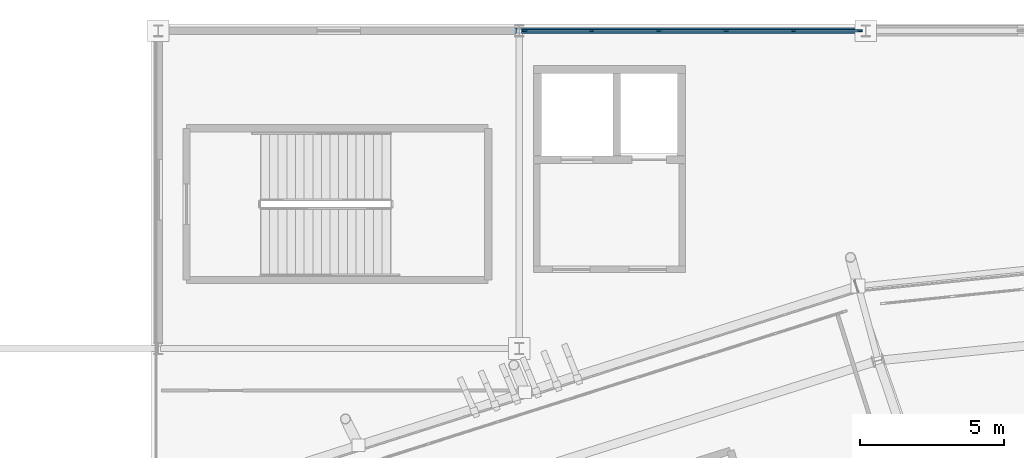
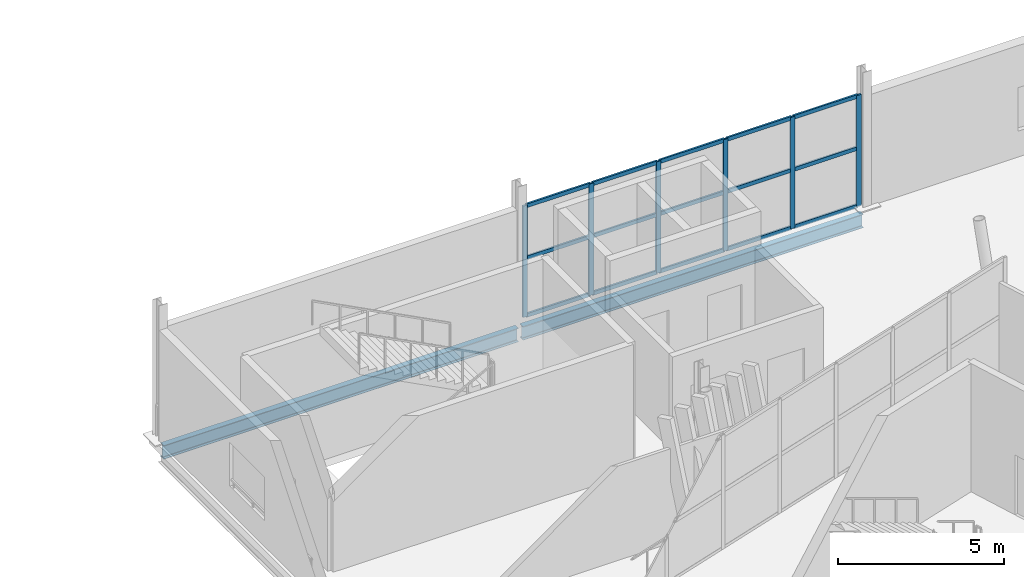
# One storey, part 79 of 179: 21 members, 2 beams, 1 element without a shape of its own.
"""IFC4 building model written with IfcOpenShell, lengths in metres."""

from ifc_helpers import new_model, si_unit, direction, frame, origin, origin_2d, place, context, subcontext, project, spatial, rectangle, i_section, extrude, material, material_profile, profile_set, type_object, element, aggregate, save


model = new_model("IFC4")

# Units and contexts
model_context = context("Model", 3, precision=1e-05, world=origin(), true_north=direction((0.0, 1.0)))
body_context = subcontext(model_context, "Body", "Model", "MODEL_VIEW")
ifc_project = project(units=[si_unit("LENGTHUNIT", "METRE"), si_unit("AREAUNIT", "SQUARE_METRE"), si_unit("VOLUMEUNIT", "CUBIC_METRE"), si_unit("PLANEANGLEUNIT", "RADIAN"), si_unit("MASSUNIT", "GRAM", prefix="KILO")], contexts=[model_context])

# Site, building, storey
site_placement = place(None, origin())
site = spatial("IfcSite", under=ifc_project, at=site_placement, CompositionType="ELEMENT")
building_placement = place(site_placement, origin())
building = spatial("IfcBuilding", under=site, at=building_placement, Name="Zlatoyarsky Gate Stadium", CompositionType="ELEMENT")
storey_placement = place(building_placement, frame((0.0, 0.0, 10.60009765625)))
storey = spatial("IfcBuildingStorey", under=building, at=storey_placement, Name="L02", CompositionType="ELEMENT", Elevation=10.60009765625)

# Curtain wall, members
ifc_material_1 = material(Name="Thermally broken anodised aluminium curtain wall", Category="aluminium")
curtain_wall_type = type_object("IfcCurtainWallType", Name="WINTER GARDEN CONSERVATORY GLAZING", PredefinedType="USERDEFINED", material=ifc_material_1)
curtain_wall_placement = place(storey_placement, origin())
curtain_wall = element("IfcCurtainWall", 1, at=curtain_wall_placement, inside=storey, type_object=curtain_wall_type, Name="Curtain wall CW-V2_NORTH-L02-149", ObjectType="UNITISED GLAZING", PredefinedType="USERDEFINED")
ifc_material_2 = material(Name="Anodised aluminium 6063-T6", Category="aluminium")
ifc_material_profile_1 = material_profile(ifc_material_2, rectangle(XDim=0.06494140625, YDim=0.159912109375, at=origin_2d()), Name="ALU 65X160")
ifc_profile_set_1 = profile_set([ifc_material_profile_1], Name="Anodised aluminium 6063-T6")
member_type_1 = type_object("IfcMemberType", Name="ALUMINIUM MULLION 65X160", PredefinedType="MULLION", material=ifc_profile_set_1)
member_1_placement = place(storey_placement, frame((74.694580078125, 160.0, 0.0), z_axis=(0.0, 0.0, 1.0), x_axis=(0.0, 1.0, 0.0)))
member_1 = element("IfcMember", 2, at=member_1_placement, type_object=member_type_1, Name="CW-WG1 mullion 1", PredefinedType="MULLION", context=body_context, shape_type="SweptSolid", body=[
    extrude(rectangle(XDim=0.06494140625, YDim=0.159912109375, at=origin_2d()), origin(), (0.0, 0.0, 1.0), 4.099853515625),
])
member_2_placement = place(storey_placement, frame((76.997314453125, 160.0, 0.0), z_axis=(0.0, 0.0, 1.0), x_axis=(0.0, 1.0, 0.0)))
member_2 = element("IfcMember", 3, at=member_2_placement, type_object=member_type_1, Name="CW-WG1 mullion 2", PredefinedType="MULLION", context=body_context, shape_type="SweptSolid", body=[
    extrude(rectangle(XDim=0.06494140625, YDim=0.159912109375, at=origin_2d()), origin(), (0.0, 0.0, 1.0), 4.099853515625),
])
member_3_placement = place(storey_placement, frame((79.33251953125, 160.0, 0.0), z_axis=(0.0, 0.0, 1.0), x_axis=(0.0, 1.0, 0.0)))
member_3 = element("IfcMember", 4, at=member_3_placement, type_object=member_type_1, Name="CW-WG1 mullion 3", PredefinedType="MULLION", context=body_context, shape_type="SweptSolid", body=[
    extrude(rectangle(XDim=0.06494140625, YDim=0.159912109375, at=origin_2d()), origin(), (0.0, 0.0, 1.0), 4.099853515625),
])
member_4_placement = place(storey_placement, frame((81.66748046875, 160.0, 0.0), z_axis=(0.0, 0.0, 1.0), x_axis=(0.0, 1.0, 0.0)))
member_4 = element("IfcMember", 5, at=member_4_placement, type_object=member_type_1, Name="CW-WG1 mullion 4", PredefinedType="MULLION", context=body_context, shape_type="SweptSolid", body=[
    extrude(rectangle(XDim=0.06494140625, YDim=0.159912109375, at=origin_2d()), origin(), (0.0, 0.0, 1.0), 4.099853515625),
])
member_5_placement = place(storey_placement, frame((84.002685546875, 160.0, 0.0), z_axis=(0.0, 0.0, 1.0), x_axis=(0.0, 1.0, 0.0)))
member_5 = element("IfcMember", 6, at=member_5_placement, type_object=member_type_1, Name="CW-WG1 mullion 5", PredefinedType="MULLION", context=body_context, shape_type="SweptSolid", body=[
    extrude(rectangle(XDim=0.06494140625, YDim=0.159912109375, at=origin_2d()), origin(), (0.0, 0.0, 1.0), 4.099853515625),
])
member_6_placement = place(storey_placement, frame((86.305419921875, 160.0, 0.0), z_axis=(0.0, 0.0, 1.0), x_axis=(0.0, 1.0, 0.0)))
member_6 = element("IfcMember", 7, at=member_6_placement, type_object=member_type_1, Name="CW-WG1 mullion 6", PredefinedType="MULLION", context=body_context, shape_type="SweptSolid", body=[
    extrude(rectangle(XDim=0.06494140625, YDim=0.159912109375, at=origin_2d()), origin(), (0.0, 0.0, 1.0), 4.099853515625),
])
ifc_material_profile_2 = material_profile(ifc_material_2, rectangle(XDim=0.06494140625, YDim=0.139892578125, at=origin_2d()), Name="ALU 65X140")
ifc_profile_set_2 = profile_set([ifc_material_profile_2], Name="Anodised aluminium 6063-T6")
member_type_2 = type_object("IfcMemberType", Name="ALUMINIUM TRANSOM 65X140", PredefinedType="USERDEFINED", material=ifc_profile_set_2)
member_7_placement = place(storey_placement, frame((74.72705078125, 160.0, 0.032470703125), z_axis=(1.0, 0.0, 0.0), x_axis=(0.0, 1.0, 0.0)))
member_7 = element("IfcMember", 8, at=member_7_placement, type_object=member_type_2, Name="CW-WG1 transom 1.1", ObjectType="TRANSOM", PredefinedType="USERDEFINED", context=body_context, shape_type="SweptSolid", body=[
    extrude(rectangle(XDim=0.06494140625, YDim=0.139892578125, at=origin_2d()), origin(), (0.0, 0.0, 1.0), 2.237548828125),
])
member_8_placement = place(storey_placement, frame((74.72705078125, 160.0, 2.14990234375), z_axis=(1.0, 0.0, 0.0), x_axis=(0.0, 1.0, 0.0)))
member_8 = element("IfcMember", 9, at=member_8_placement, type_object=member_type_2, Name="CW-WG1 transom 1.2", ObjectType="TRANSOM", PredefinedType="USERDEFINED", context=body_context, shape_type="SweptSolid", body=[
    extrude(rectangle(XDim=0.06494140625, YDim=0.139892578125, at=origin_2d()), origin(), (0.0, 0.0, 1.0), 2.237548828125),
])
member_9_placement = place(storey_placement, frame((74.72705078125, 160.0, 4.0673828125), z_axis=(1.0, 0.0, 0.0), x_axis=(0.0, 1.0, 0.0)))
member_9 = element("IfcMember", 10, at=member_9_placement, type_object=member_type_2, Name="CW-WG1 transom 1.3", ObjectType="TRANSOM", PredefinedType="USERDEFINED", context=body_context, shape_type="SweptSolid", body=[
    extrude(rectangle(XDim=0.06494140625, YDim=0.139892578125, at=origin_2d()), origin(), (0.0, 0.0, 1.0), 2.237548828125),
])
member_10_placement = place(storey_placement, frame((77.02978515625, 160.0, 0.032470703125), z_axis=(1.0, 0.0, 0.0), x_axis=(0.0, 1.0, 0.0)))
member_10 = element("IfcMember", 11, at=member_10_placement, type_object=member_type_2, Name="CW-WG1 transom 2.1", ObjectType="TRANSOM", PredefinedType="USERDEFINED", context=body_context, shape_type="SweptSolid", body=[
    extrude(rectangle(XDim=0.06494140625, YDim=0.139892578125, at=origin_2d()), origin(), (0.0, 0.0, 1.0), 2.27001953125),
])
member_11_placement = place(storey_placement, frame((77.02978515625, 160.0, 2.14990234375), z_axis=(1.0, 0.0, 0.0), x_axis=(0.0, 1.0, 0.0)))
member_11 = element("IfcMember", 12, at=member_11_placement, type_object=member_type_2, Name="CW-WG1 transom 2.2", ObjectType="TRANSOM", PredefinedType="USERDEFINED", context=body_context, shape_type="SweptSolid", body=[
    extrude(rectangle(XDim=0.06494140625, YDim=0.139892578125, at=origin_2d()), origin(), (0.0, 0.0, 1.0), 2.27001953125),
])
member_12_placement = place(storey_placement, frame((77.02978515625, 160.0, 4.0673828125), z_axis=(1.0, 0.0, 0.0), x_axis=(0.0, 1.0, 0.0)))
member_12 = element("IfcMember", 13, at=member_12_placement, type_object=member_type_2, Name="CW-WG1 transom 2.3", ObjectType="TRANSOM", PredefinedType="USERDEFINED", context=body_context, shape_type="SweptSolid", body=[
    extrude(rectangle(XDim=0.06494140625, YDim=0.139892578125, at=origin_2d()), origin(), (0.0, 0.0, 1.0), 2.27001953125),
])
member_13_placement = place(storey_placement, frame((79.364990234375, 160.0, 0.032470703125), z_axis=(1.0, 0.0, 0.0), x_axis=(0.0, 1.0, 0.0)))
member_13 = element("IfcMember", 14, at=member_13_placement, type_object=member_type_2, Name="CW-WG1 transom 3.1", ObjectType="TRANSOM", PredefinedType="USERDEFINED", context=body_context, shape_type="SweptSolid", body=[
    extrude(rectangle(XDim=0.06494140625, YDim=0.139892578125, at=origin_2d()), origin(), (0.0, 0.0, 1.0), 2.27001953125),
])
member_14_placement = place(storey_placement, frame((79.364990234375, 160.0, 2.14990234375), z_axis=(1.0, 0.0, 0.0), x_axis=(0.0, 1.0, 0.0)))
member_14 = element("IfcMember", 15, at=member_14_placement, type_object=member_type_2, Name="CW-WG1 transom 3.2", ObjectType="TRANSOM", PredefinedType="USERDEFINED", context=body_context, shape_type="SweptSolid", body=[
    extrude(rectangle(XDim=0.06494140625, YDim=0.139892578125, at=origin_2d()), origin(), (0.0, 0.0, 1.0), 2.27001953125),
])
member_15_placement = place(storey_placement, frame((79.364990234375, 160.0, 4.0673828125), z_axis=(1.0, 0.0, 0.0), x_axis=(0.0, 1.0, 0.0)))
member_15 = element("IfcMember", 16, at=member_15_placement, type_object=member_type_2, Name="CW-WG1 transom 3.3", ObjectType="TRANSOM", PredefinedType="USERDEFINED", context=body_context, shape_type="SweptSolid", body=[
    extrude(rectangle(XDim=0.06494140625, YDim=0.139892578125, at=origin_2d()), origin(), (0.0, 0.0, 1.0), 2.27001953125),
])
member_16_placement = place(storey_placement, frame((81.7001953125, 160.0, 0.032470703125), z_axis=(1.0, 0.0, 0.0), x_axis=(0.0, 1.0, 0.0)))
member_16 = element("IfcMember", 17, at=member_16_placement, type_object=member_type_2, Name="CW-WG1 transom 4.1", ObjectType="TRANSOM", PredefinedType="USERDEFINED", context=body_context, shape_type="SweptSolid", body=[
    extrude(rectangle(XDim=0.06494140625, YDim=0.139892578125, at=origin_2d()), origin(), (0.0, 0.0, 1.0), 2.27001953125),
])
member_17_placement = place(storey_placement, frame((81.7001953125, 160.0, 2.14990234375), z_axis=(1.0, 0.0, 0.0), x_axis=(0.0, 1.0, 0.0)))
member_17 = element("IfcMember", 18, at=member_17_placement, type_object=member_type_2, Name="CW-WG1 transom 4.2", ObjectType="TRANSOM", PredefinedType="USERDEFINED", context=body_context, shape_type="SweptSolid", body=[
    extrude(rectangle(XDim=0.06494140625, YDim=0.139892578125, at=origin_2d()), origin(), (0.0, 0.0, 1.0), 2.27001953125),
])
member_18_placement = place(storey_placement, frame((81.7001953125, 160.0, 4.0673828125), z_axis=(1.0, 0.0, 0.0), x_axis=(0.0, 1.0, 0.0)))
member_18 = element("IfcMember", 19, at=member_18_placement, type_object=member_type_2, Name="CW-WG1 transom 4.3", ObjectType="TRANSOM", PredefinedType="USERDEFINED", context=body_context, shape_type="SweptSolid", body=[
    extrude(rectangle(XDim=0.06494140625, YDim=0.139892578125, at=origin_2d()), origin(), (0.0, 0.0, 1.0), 2.27001953125),
])
member_19_placement = place(storey_placement, frame((84.035400390625, 160.0, 0.032470703125), z_axis=(1.0, 0.0, 0.0), x_axis=(0.0, 1.0, 0.0)))
member_19 = element("IfcMember", 20, at=member_19_placement, type_object=member_type_2, Name="CW-WG1 transom 5.1", ObjectType="TRANSOM", PredefinedType="USERDEFINED", context=body_context, shape_type="SweptSolid", body=[
    extrude(rectangle(XDim=0.06494140625, YDim=0.139892578125, at=origin_2d()), origin(), (0.0, 0.0, 1.0), 2.237548828125),
])
member_20_placement = place(storey_placement, frame((84.035400390625, 160.0, 2.14990234375), z_axis=(1.0, 0.0, 0.0), x_axis=(0.0, 1.0, 0.0)))
member_20 = element("IfcMember", 21, at=member_20_placement, type_object=member_type_2, Name="CW-WG1 transom 5.2", ObjectType="TRANSOM", PredefinedType="USERDEFINED", context=body_context, shape_type="SweptSolid", body=[
    extrude(rectangle(XDim=0.06494140625, YDim=0.139892578125, at=origin_2d()), origin(), (0.0, 0.0, 1.0), 2.237548828125),
])
member_21_placement = place(storey_placement, frame((84.035400390625, 160.0, 4.0673828125), z_axis=(1.0, 0.0, 0.0), x_axis=(0.0, 1.0, 0.0)))
member_21 = element("IfcMember", 22, at=member_21_placement, type_object=member_type_2, Name="CW-WG1 transom 5.3", ObjectType="TRANSOM", PredefinedType="USERDEFINED", context=body_context, shape_type="SweptSolid", body=[
    extrude(rectangle(XDim=0.06494140625, YDim=0.139892578125, at=origin_2d()), origin(), (0.0, 0.0, 1.0), 2.237548828125),
])
aggregate(curtain_wall, [member_1, member_2, member_3, member_4, member_5, member_6, member_7, member_8, member_9, member_10, member_11, member_12, member_13, member_14, member_15, member_16, member_17, member_18, member_19, member_20, member_21])

# Beams
ifc_material_3 = material(Name="Steel S355", Category="steel")
ifc_material_profile_3 = material_profile(ifc_material_3, i_section(OverallWidth=0.199951171875, OverallDepth=0.5, WebThickness=0.01025390625, FlangeThickness=0.01611328125, FilletRadius=0.02099609375, at=origin_2d()), Name="IPE 500")
ifc_profile_set_3 = profile_set([ifc_material_profile_3], Name="Steel S355")
beam_type = type_object("IfcBeamType", Name="STEEL FLOOR BEAM IPE 500", PredefinedType="BEAM", material=ifc_profile_set_3)
beam_1_placement = place(storey_placement, frame((62.080078125, 160.0, -0.530029296875), z_axis=(1.0, 0.0, 0.0), x_axis=(0.0, 1.0, 0.0)))
element("IfcBeam", 23, at=beam_1_placement, inside=storey, type_object=beam_type, Name="Beam B-IPE500 BM-L02-WGX-6-Q", PredefinedType="BEAM", context=body_context, shape_type="SweptSolid", body=[
    extrude(i_section(OverallWidth=0.199951171875, OverallDepth=0.5, WebThickness=0.01025390625, FlangeThickness=0.01611328125, FilletRadius=0.02099609375, at=origin_2d()), origin(), (0.0, 0.0, 1.0), 12.33984375),
])
beam_2_placement = place(storey_placement, frame((74.580078125, 160.0, -0.530029296875), z_axis=(1.0, 0.0, 0.0), x_axis=(0.0, 1.0, 0.0)))
element("IfcBeam", 24, at=beam_2_placement, inside=storey, type_object=beam_type, Name="Beam B-IPE500 BM-L02-WGX-7-Q", PredefinedType="BEAM", context=body_context, shape_type="SweptSolid", body=[
    extrude(i_section(OverallWidth=0.199951171875, OverallDepth=0.5, WebThickness=0.01025390625, FlangeThickness=0.01611328125, FilletRadius=0.02099609375, at=origin_2d()), origin(), (0.0, 0.0, 1.0), 11.83984375),
])

save(model, "model.ifc")
